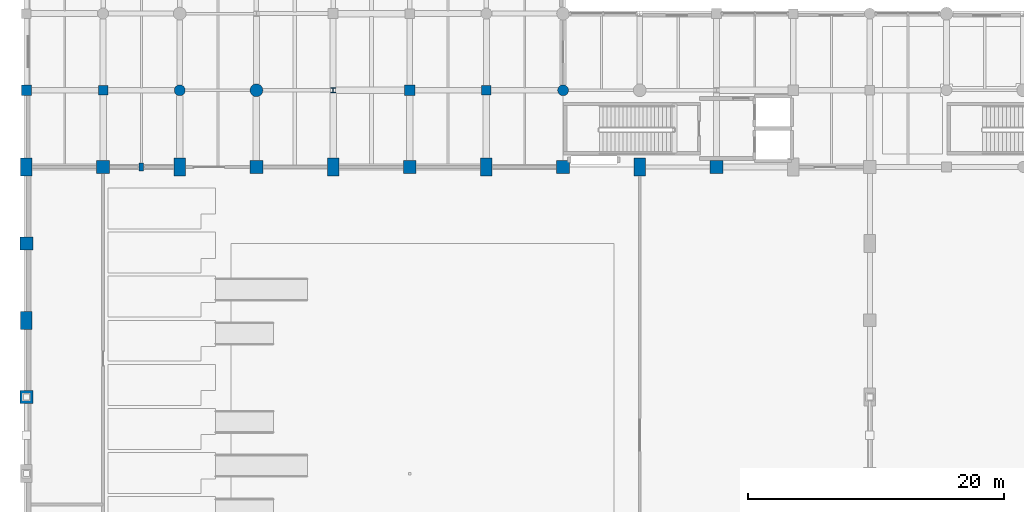
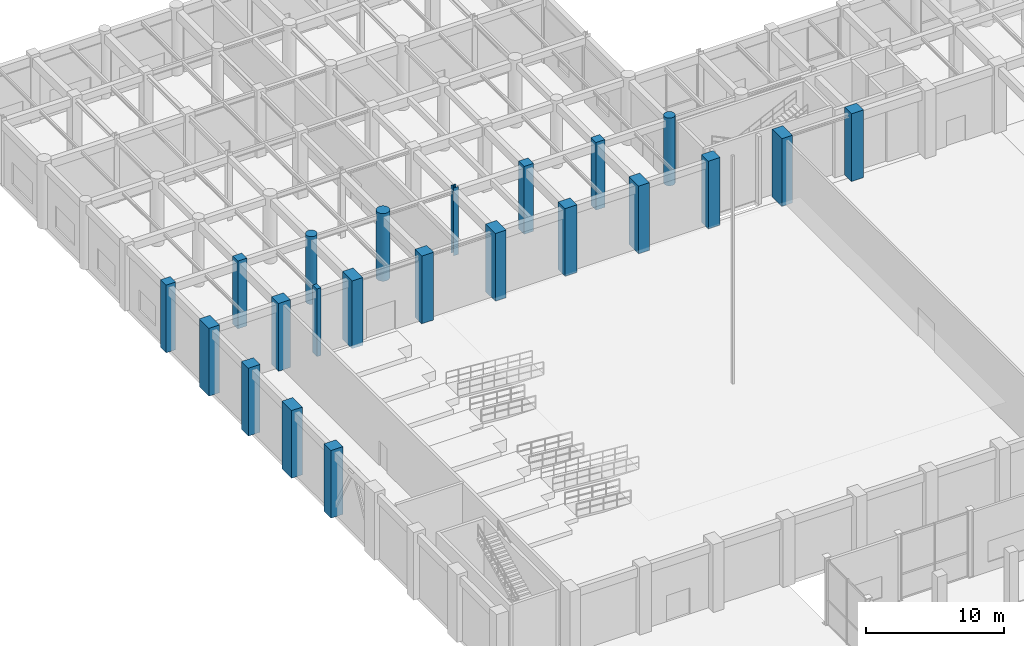
# One storey, part 8 of 106: 22 columns.
"""IFC4 building model written with IfcOpenShell, lengths in metres."""

from ifc_helpers import new_model, si_unit, direction, frame, origin, origin_2d, place, context, subcontext, project, spatial, rectangle, circle, i_section, extrude, material, material_profile, profile_set, type_object, element, save


model = new_model("IFC4")

# Units and contexts
model_context = context("Model", 3, precision=1e-05, world=origin(), true_north=direction((0.0, 1.0)))
body_context = subcontext(model_context, "Body", "Model", "MODEL_VIEW")
ifc_project = project(units=[si_unit("LENGTHUNIT", "METRE"), si_unit("AREAUNIT", "SQUARE_METRE"), si_unit("VOLUMEUNIT", "CUBIC_METRE"), si_unit("PLANEANGLEUNIT", "RADIAN"), si_unit("MASSUNIT", "GRAM", prefix="KILO"), si_unit("THERMODYNAMICTEMPERATUREUNIT", "KELVIN"), si_unit("POWERUNIT", "WATT")], contexts=[model_context])

# Site, building, storey
site_placement = place(None, origin())
site = spatial("IfcSite", under=ifc_project, at=site_placement, CompositionType="ELEMENT")
building_placement = place(site_placement, origin())
building = spatial("IfcBuilding", under=site, at=building_placement, Name="Phaisarnlok Congress Hotel", CompositionType="ELEMENT")
storey_placement = place(building_placement, origin())
storey = spatial("IfcBuildingStorey", under=building, at=storey_placement, Name="L00", CompositionType="ELEMENT", Elevation=0.0)

# Columns
ifc_material_1 = material(Name="Concrete C50/60", Category="concrete")
ifc_material_profile_1 = material_profile(ifc_material_1, rectangle(XDim=1.0, YDim=1.0, at=origin_2d()), Name="RC 1000x1000")
ifc_profile_set_1 = profile_set([ifc_material_profile_1], Name="Concrete C50/60")
column_type_1 = type_object("IfcColumnType", Name="COL-RC-1000", PredefinedType="COLUMN", material=ifc_profile_set_1)
for number, where, z_axis, x_axis, name in (
    (1, (6.0, 84.0, 0.0), (0.0, 0.0, 1.0), (1.0, 0.0, 0.0), "Column C-09 (L00)"),
    (2, (18.0, 84.0, 0.0), (0.0, 0.0, 1.0), (1.0, 0.0, 0.0), "Column C-09 (L00)"),
    (3, (30.0, 84.0, 0.0), (0.0, 0.0, 1.0), (1.0, 0.0, 0.0), "Column C-09 (L00)"),
    (4, (42.0, 84.0, 0.0), (0.0, 0.0, 1.0), (1.0, 0.0, 0.0), "Column C-09 (L00)"),
    (5, (54.0, 84.0, 0.0), (0.0, 0.0, 1.0), (1.0, 0.0, 0.0), "Column C-09 (L00)"),
):
    element("IfcColumn", number, at=place(storey_placement, frame(where, z_axis=z_axis, x_axis=x_axis)), inside=storey, type_object=column_type_1, Name=name, PredefinedType="COLUMN", context=body_context, shape_type="SweptSolid", body=[
        extrude(rectangle(XDim=1.0, YDim=1.0, at=origin_2d()), origin(), (0.0, 0.0, 1.0), 6.0),
    ])
ifc_material_profile_2 = material_profile(ifc_material_1, rectangle(XDim=1.0, YDim=1.0, at=origin_2d()), Name="RC 1000x1000")
ifc_profile_set_2 = profile_set([ifc_material_profile_2], Name="Concrete C50/60")
column_type_2 = type_object("IfcColumnType", Name="COL-RC-1000-EXT", PredefinedType="COLUMN", material=ifc_profile_set_2)
for number, where, z_axis, x_axis, name in (
    (6, (0.0, 66.0, 0.0), (0.0, 0.0, 1.0), (1.0, 0.0, 0.0), "Column C-09E (L00)"),
    (7, (0.0, 78.0, 0.0), (0.0, 0.0, 1.0), (1.0, 0.0, 0.0), "Column C-09E (L00)"),
):
    element("IfcColumn", number, at=place(storey_placement, frame(where, z_axis=z_axis, x_axis=x_axis)), inside=storey, type_object=column_type_2, Name=name, PredefinedType="COLUMN", context=body_context, shape_type="SweptSolid", body=[
        extrude(rectangle(XDim=1.0, YDim=1.0, at=origin_2d()), origin(), (0.0, 0.0, 1.0), 6.0),
    ])
ifc_material_profile_3 = material_profile(ifc_material_1, rectangle(XDim=0.75, YDim=0.75, at=origin_2d()), Name="RC 750x750")
ifc_profile_set_3 = profile_set([ifc_material_profile_3], Name="Concrete C50/60")
column_type_3 = type_object("IfcColumnType", Name="COL-RC-750", PredefinedType="COLUMN", material=ifc_profile_set_3)
for number, where, z_axis, x_axis, name in (
    (8, (6.0, 90.0, 0.0), (0.0, 0.0, 1.0), (1.0, 0.0, 0.0), "Column C-06 (L00)"),
    (9, (36.0, 90.0, 0.0), (0.0, 0.0, 1.0), (1.0, 0.0, 0.0), "Column C-06 (L00)"),
):
    element("IfcColumn", number, at=place(storey_placement, frame(where, z_axis=z_axis, x_axis=x_axis)), inside=storey, type_object=column_type_3, Name=name, PredefinedType="COLUMN", context=body_context, shape_type="SweptSolid", body=[
        extrude(rectangle(XDim=0.75, YDim=0.75, at=origin_2d()), origin(), (0.0, 0.0, 1.0), 6.0),
    ])
ifc_material_profile_4 = material_profile(ifc_material_1, rectangle(XDim=0.800048828125, YDim=0.800048828125, at=origin_2d()), Name="RC 800x800")
ifc_profile_set_4 = profile_set([ifc_material_profile_4], Name="Concrete C50/60")
column_type_4 = type_object("IfcColumnType", Name="COL-RC-800", PredefinedType="COLUMN", material=ifc_profile_set_4)
column_1_placement = place(storey_placement, frame((30.0, 90.0, 0.0), z_axis=(0.0, 0.0, 1.0), x_axis=(1.0, 0.0, 0.0)))
element("IfcColumn", 10, at=column_1_placement, inside=storey, type_object=column_type_4, Name="Column C-07 (L00)", PredefinedType="COLUMN", context=body_context, shape_type="SweptSolid", body=[
    extrude(rectangle(XDim=0.800048828125, YDim=0.800048828125, at=origin_2d()), origin(), (0.0, 0.0, 1.0), 6.0),
])
ifc_material_profile_5 = material_profile(ifc_material_1, rectangle(XDim=0.800048828125, YDim=0.800048828125, at=origin_2d()), Name="RC 800x800")
ifc_profile_set_5 = profile_set([ifc_material_profile_5], Name="Concrete C50/60")
column_type_5 = type_object("IfcColumnType", Name="COL-RC-800-EXT", PredefinedType="COLUMN", material=ifc_profile_set_5)
column_2_placement = place(storey_placement, frame((0.0, 90.0, 0.0), z_axis=(0.0, 0.0, 1.0), x_axis=(1.0, 0.0, 0.0)))
element("IfcColumn", 11, at=column_2_placement, inside=storey, type_object=column_type_5, Name="Column C-07E (L00)", PredefinedType="COLUMN", context=body_context, shape_type="SweptSolid", body=[
    extrude(rectangle(XDim=0.800048828125, YDim=0.800048828125, at=origin_2d()), origin(), (0.0, 0.0, 1.0), 6.0),
])
ifc_material_profile_6 = material_profile(ifc_material_1, rectangle(XDim=0.89990234375, YDim=1.39990234375, at=origin_2d()), Name="RC 900x1400")
ifc_profile_set_6 = profile_set([ifc_material_profile_6], Name="Concrete C50/60")
column_type_6 = type_object("IfcColumnType", Name="COL-RC-900x1400", PredefinedType="COLUMN", material=ifc_profile_set_6)
for number, where, z_axis, x_axis, name in (
    (12, (12.0, 84.0, 0.0), (0.0, 0.0, 1.0), (1.0, 0.0, 0.0), "Column C-12 (L00)"),
    (13, (24.0, 84.0, 0.0), (0.0, 0.0, 1.0), (1.0, 0.0, 0.0), "Column C-12 (L00)"),
    (14, (36.0, 84.0, 0.0), (0.0, 0.0, 1.0), (1.0, 0.0, 0.0), "Column C-12 (L00)"),
    (15, (48.0, 84.0, 0.0), (0.0, 0.0, 1.0), (1.0, 0.0, 0.0), "Column C-12 (L00)"),
):
    element("IfcColumn", number, at=place(storey_placement, frame(where, z_axis=z_axis, x_axis=x_axis)), inside=storey, type_object=column_type_6, Name=name, PredefinedType="COLUMN", context=body_context, shape_type="SweptSolid", body=[
        extrude(rectangle(XDim=0.89990234375, YDim=1.39990234375, at=origin_2d()), origin(), (0.0, 0.0, 1.0), 6.0),
    ])
ifc_material_profile_7 = material_profile(ifc_material_1, rectangle(XDim=0.89990234375, YDim=1.39990234375, at=origin_2d()), Name="RC 900x1400")
ifc_profile_set_7 = profile_set([ifc_material_profile_7], Name="Concrete C50/60")
column_type_7 = type_object("IfcColumnType", Name="COL-RC-900x1400-EXT", PredefinedType="COLUMN", material=ifc_profile_set_7)
for number, where, z_axis, x_axis, name in (
    (16, (0.0, 72.0, 0.0), (0.0, 0.0, 1.0), (1.0, 0.0, 0.0), "Column C-12E (L00)"),
    (17, (0.0, 84.0, 0.0), (0.0, 0.0, 1.0), (1.0, 0.0, 0.0), "Column C-12E (L00)"),
):
    element("IfcColumn", number, at=place(storey_placement, frame(where, z_axis=z_axis, x_axis=x_axis)), inside=storey, type_object=column_type_7, Name=name, PredefinedType="COLUMN", context=body_context, shape_type="SweptSolid", body=[
        extrude(rectangle(XDim=0.89990234375, YDim=1.39990234375, at=origin_2d()), origin(), (0.0, 0.0, 1.0), 6.0),
    ])
ifc_material_profile_8 = material_profile(ifc_material_1, circle(Radius=0.5, at=origin_2d()), Name="RCC D1000")
ifc_profile_set_8 = profile_set([ifc_material_profile_8], Name="Concrete C50/60")
column_type_8 = type_object("IfcColumnType", Name="COL-RCC-1000", PredefinedType="COLUMN", material=ifc_profile_set_8)
column_3_placement = place(storey_placement, frame((18.0, 90.0, 0.0), z_axis=(0.0, 0.0, 1.0), x_axis=(1.0, 0.0, 0.0)))
element("IfcColumn", 18, at=column_3_placement, inside=storey, type_object=column_type_8, Name="Column C-15 (L00)", PredefinedType="COLUMN", context=body_context, shape_type="SweptSolid", body=[
    extrude(circle(Radius=0.5, at=origin_2d()), origin(), (0.0, 0.0, 1.0), 6.0),
])
ifc_material_profile_9 = material_profile(ifc_material_1, circle(Radius=0.425048828125, at=origin_2d()), Name="RCC D850")
ifc_profile_set_9 = profile_set([ifc_material_profile_9], Name="Concrete C50/60")
column_type_9 = type_object("IfcColumnType", Name="COL-RCC-850", PredefinedType="COLUMN", material=ifc_profile_set_9)
for number, where, z_axis, x_axis, name in (
    (19, (12.0, 90.0, 0.0), (0.0, 0.0, 1.0), (1.0, 0.0, 0.0), "Column C-14 (L00)"),
    (20, (42.0, 90.0, 0.0), (0.0, 0.0, 1.0), (1.0, 0.0, 0.0), "Column C-14 (L00)"),
):
    element("IfcColumn", number, at=place(storey_placement, frame(where, z_axis=z_axis, x_axis=x_axis)), inside=storey, type_object=column_type_9, Name=name, PredefinedType="COLUMN", context=body_context, shape_type="SweptSolid", body=[
        extrude(circle(Radius=0.425048828125, at=origin_2d()), origin(), (0.0, 0.0, 1.0), 6.0),
    ])
ifc_material_2 = material(Name="Steel S355", Category="steel")
ifc_material_profile_10 = material_profile(ifc_material_2, i_section(OverallWidth=0.40087890625, OverallDepth=0.39892578125, WebThickness=0.0185546875, FlangeThickness=0.030029296875, FilletRadius=0.014892578125, at=origin_2d()), Name="HD 400x314")
ifc_profile_set_10 = profile_set([ifc_material_profile_10], Name="Steel S355")
column_type_10 = type_object("IfcColumnType", Name="COL-STL-HD314", PredefinedType="COLUMN", material=ifc_profile_set_10)
column_4_placement = place(storey_placement, frame((24.0, 90.0, 0.0), z_axis=(0.0, 0.0, 1.0), x_axis=(1.0, 0.0, 0.0)))
element("IfcColumn", 21, at=column_4_placement, inside=storey, type_object=column_type_10, Name="Column SC-04 (L00)", PredefinedType="COLUMN", context=body_context, shape_type="SweptSolid", body=[
    extrude(i_section(OverallWidth=0.40087890625, OverallDepth=0.39892578125, WebThickness=0.0185546875, FlangeThickness=0.030029296875, FilletRadius=0.014892578125, at=origin_2d()), origin(), (0.0, 0.0, 1.0), 6.0),
])
ifc_material_3 = material(Name="Concrete C40/50", Category="concrete")
ifc_material_profile_11 = material_profile(ifc_material_3, rectangle(XDim=0.35009765625, YDim=0.60009765625, at=origin_2d()), Name="RC 350x600")
ifc_profile_set_11 = profile_set([ifc_material_profile_11], Name="Concrete C40/50")
column_type_11 = type_object("IfcColumnType", Name="PIL-RC-350x600", PredefinedType="PILASTER", material=ifc_profile_set_11)
column_5_placement = place(storey_placement, frame((9.0, 84.0, 0.0), z_axis=(0.0, 0.0, 1.0), x_axis=(1.0, 0.0, 0.0)))
element("IfcColumn", 22, at=column_5_placement, inside=storey, type_object=column_type_11, Name="Acoustic wall pilaster PL-C1", PredefinedType="PILASTER", context=body_context, shape_type="SweptSolid", body=[
    extrude(rectangle(XDim=0.35009765625, YDim=0.60009765625, at=origin_2d()), origin(), (0.0, 0.0, 1.0), 6.0),
])

save(model, "model.ifc")
